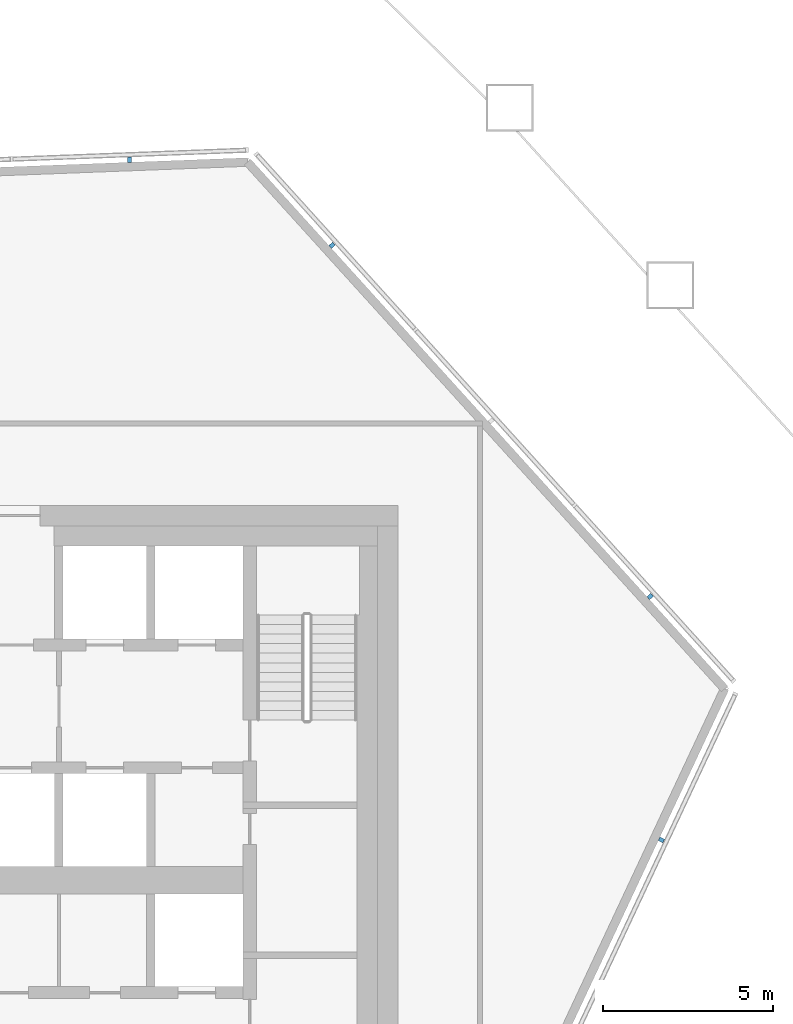
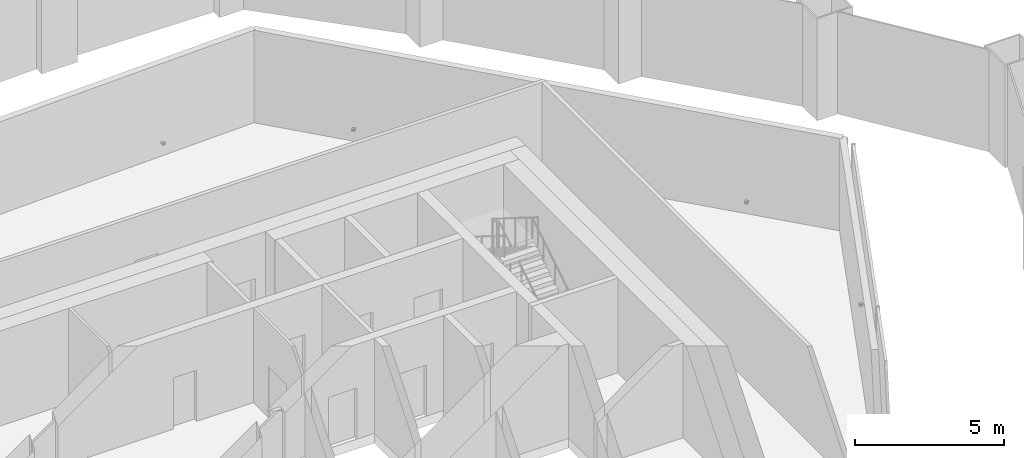
# One storey, part 12 of 18: 4 discrete accessories, 3 elements without a shape of their own.
"""IFC4 building model written with IfcOpenShell, lengths in metres."""

from ifc_helpers import new_model, si_unit, direction, frame, origin, origin_2d, place, context, subcontext, project, spatial, rectangle, extrude, material, layer, layer_set, type_object, element, aggregate, save


model = new_model("IFC4")

# Units and contexts
model_context = context("Model", 3, precision=1e-05, world=origin(), true_north=direction((0.0, 1.0)))
body_context = subcontext(model_context, "Body", "Model", "MODEL_VIEW")
ifc_project = project(units=[si_unit("LENGTHUNIT", "METRE"), si_unit("AREAUNIT", "SQUARE_METRE"), si_unit("VOLUMEUNIT", "CUBIC_METRE"), si_unit("PLANEANGLEUNIT", "RADIAN"), si_unit("MASSUNIT", "GRAM", prefix="KILO")], contexts=[model_context])

# Site, building, storey
site_placement = place(None, origin())
site = spatial("IfcSite", under=ifc_project, at=site_placement, CompositionType="ELEMENT")
building_placement = place(site_placement, origin())
building = spatial("IfcBuilding", under=site, at=building_placement, Name="Dongbaek Canopy Tower", CompositionType="ELEMENT")
storey_placement = place(building_placement, frame((0.0, 0.0, 371.60009765625)))
storey = spatial("IfcBuildingStorey", under=building, at=storey_placement, Name="L80", CompositionType="ELEMENT", Elevation=371.60009765625)

# Curtain wall, discrete accessory
ifc_material_1 = material(Name="Aluminium 6063-T6 pale anodised", Category="aluminium")
ifc_layer = layer(ifc_material_1, 0.14990234375)
ifc_layer_set = layer_set([ifc_layer], Name="CW-7 louvre curtain wall")
curtain_wall_type = type_object("IfcCurtainWallType", Name="CW-7 louvre curtain wall", PredefinedType="NOTDEFINED", material=ifc_layer_set)
curtain_wall_1_placement = place(storey_placement, origin())
curtain_wall_1 = element("IfcCurtainWall", 1, at=curtain_wall_1_placement, inside=storey, type_object=curtain_wall_type, Name="CW-7 louvre wall L80 F1", PredefinedType="NOTDEFINED")
ifc_material_2 = material(Name="Galvanised steel S355 bracket", Category="steel")
discrete_accessory_type = type_object("IfcDiscreteAccessoryType", Name="Louvre bracket BR1", PredefinedType="BRACKET", material=ifc_material_2)
discrete_accessory_1_placement = place(storey_placement, frame((21.72802734375, 1.181884765625, 0.18994140625), z_axis=(0.0, 0.0, 1.0), x_axis=(0.42412286138, 0.905604659029, 0.0)))
discrete_accessory_1 = element("IfcDiscreteAccessory", 2, at=discrete_accessory_1_placement, type_object=discrete_accessory_type, Name="Louvre bracket L80 F1.1.3", PredefinedType="BRACKET", context=body_context, shape_type="SweptSolid", body=[
    extrude(rectangle(XDim=0.1201171875, YDim=0.14990234375, at=origin_2d()), origin(), (0.0, 0.0, 1.0), 0.10009765625),
])
aggregate(curtain_wall_1, [discrete_accessory_1])

# Curtain wall, discrete accessories
curtain_wall_2_placement = place(storey_placement, origin())
curtain_wall_2 = element("IfcCurtainWall", 3, at=curtain_wall_2_placement, inside=storey, type_object=curtain_wall_type, Name="CW-7 louvre wall L80 F2", PredefinedType="NOTDEFINED")
discrete_accessory_2_placement = place(storey_placement, frame((21.397705078125, 8.324462890625, 0.18994140625), z_axis=(0.0, 0.0, 1.0), x_axis=(-0.671259717142, 0.741222228581, 0.0)))
discrete_accessory_2 = element("IfcDiscreteAccessory", 4, at=discrete_accessory_2_placement, type_object=discrete_accessory_type, Name="Louvre bracket L80 F2.1.1", PredefinedType="BRACKET", context=body_context, shape_type="SweptSolid", body=[
    extrude(rectangle(XDim=0.1201171875, YDim=0.14990234375, at=origin_2d()), origin(), (0.0, 0.0, 1.0), 0.10009765625),
])
discrete_accessory_3_placement = place(storey_placement, frame((12.064697265625, 18.63037109375, 0.18994140625), z_axis=(0.0, 0.0, 1.0), x_axis=(-0.671259717142, 0.741222228581, 0.0)))
discrete_accessory_3 = element("IfcDiscreteAccessory", 5, at=discrete_accessory_3_placement, type_object=discrete_accessory_type, Name="Louvre bracket L80 F2.1.3", PredefinedType="BRACKET", context=body_context, shape_type="SweptSolid", body=[
    extrude(rectangle(XDim=0.1201171875, YDim=0.14990234375, at=origin_2d()), origin(), (0.0, 0.0, 1.0), 0.10009765625),
])
aggregate(curtain_wall_2, [discrete_accessory_2, discrete_accessory_3])

# Curtain wall, discrete accessory
curtain_wall_3_placement = place(storey_placement, origin())
curtain_wall_3 = element("IfcCurtainWall", 6, at=curtain_wall_3_placement, inside=storey, type_object=curtain_wall_type, Name="CW-7 louvre wall L80 F3", PredefinedType="NOTDEFINED")
discrete_accessory_4_placement = place(storey_placement, frame((6.121826171875, 21.14013671875, 0.18994140625), z_axis=(0.0, 0.0, 1.0), x_axis=(-0.999268890611, -0.038231979514, 0.0)))
discrete_accessory_4 = element("IfcDiscreteAccessory", 7, at=discrete_accessory_4_placement, type_object=discrete_accessory_type, Name="Louvre bracket L80 F3.1.1", PredefinedType="BRACKET", context=body_context, shape_type="SweptSolid", body=[
    extrude(rectangle(XDim=0.1201171875, YDim=0.14990234375, at=origin_2d()), origin(), (0.0, 0.0, 1.0), 0.10009765625),
])
aggregate(curtain_wall_3, [discrete_accessory_4])

save(model, "model.ifc")
